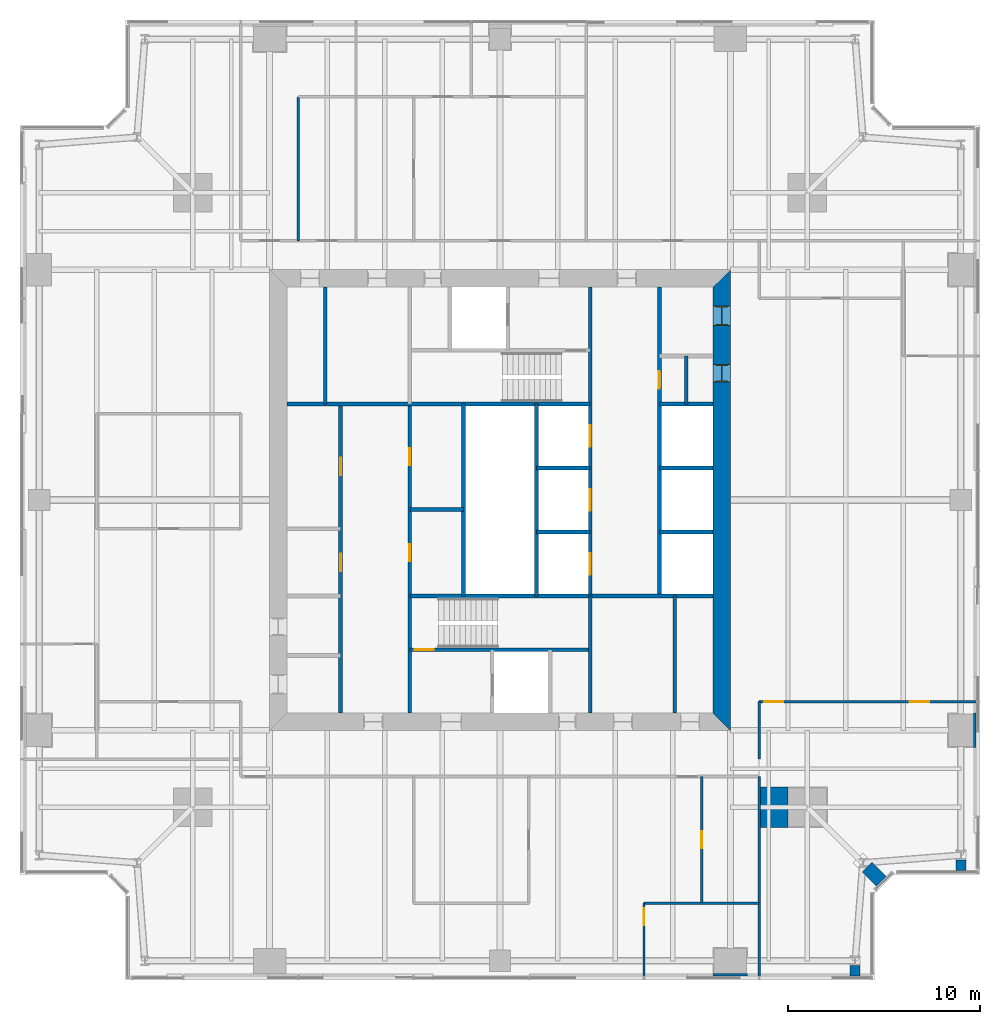
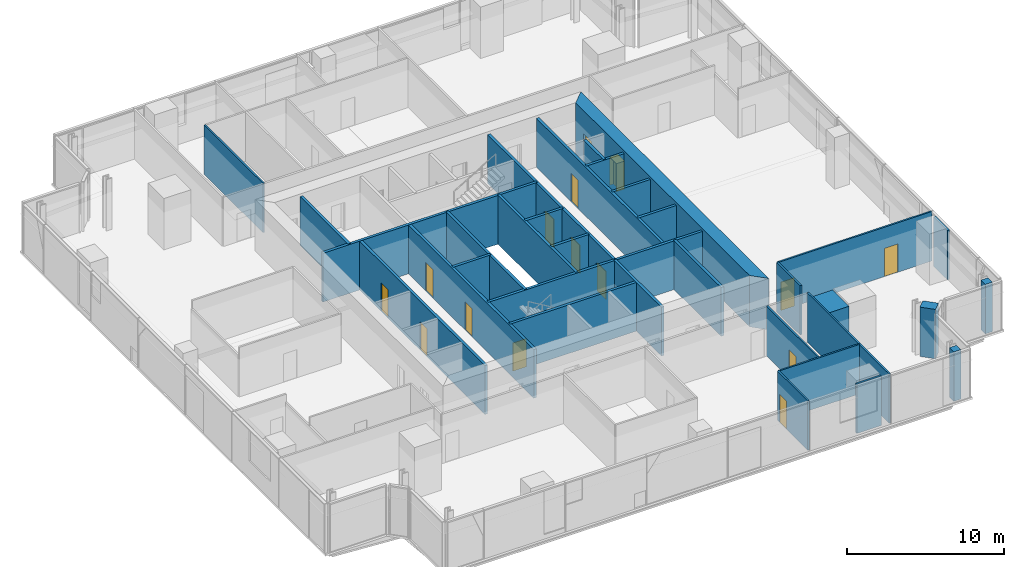
# One storey, part 10 of 14: 33 walls, 15 doors, 15 openings.
"""IFC4 building model written with IfcOpenShell, lengths in metres."""

from ifc_helpers import new_model, si_unit, direction, frame, frame_2d, origin, place, context, subcontext, project, spatial, polyline, rectangle, outline, extrude, material, layer, layer_set, type_object, element, fill, save


model = new_model("IFC4")

# Units and contexts
model_context = context("Model", 3, precision=1e-05, world=origin(), true_north=direction((0.0, 1.0)))
body_context = subcontext(model_context, "Body", "Model", "MODEL_VIEW")
ifc_project = project(units=[si_unit("LENGTHUNIT", "METRE"), si_unit("AREAUNIT", "SQUARE_METRE"), si_unit("VOLUMEUNIT", "CUBIC_METRE"), si_unit("PLANEANGLEUNIT", "RADIAN"), si_unit("MASSUNIT", "GRAM", prefix="KILO")], contexts=[model_context])

# Site, building, storey
site_placement = place(None, origin())
site = spatial("IfcSite", under=ifc_project, at=site_placement, CompositionType="ELEMENT")
building_placement = place(site_placement, origin())
building = spatial("IfcBuilding", under=site, at=building_placement, Name="Fenwick Lantern Interchange", CompositionType="ELEMENT")
storey_placement = place(building_placement, frame((0.0, 0.0, 205.800048828125)))
storey = spatial("IfcBuildingStorey", under=building, at=storey_placement, Name="L48", CompositionType="ELEMENT", Elevation=205.800048828125)

# Walls
ifc_material_1 = material(Name="Fire-rated gypsum board encasement on steel studs, 2 hour", Category="steel")
ifc_layer_1 = layer(ifc_material_1, 1.800048828125)
ifc_layer_set_1 = layer_set([ifc_layer_1], Name="COLUMN PIER 1800")
wall_type_1 = type_object("IfcWallType", Name="COLUMN PIER 1800", PredefinedType="PARTITIONING", material=ifc_layer_set_1)
for number, where, z_axis, x_axis, name in (
    (1, (37.0, 0.199951171875, 0.0), (0.0, 0.0, 1.0), (0.0, 1.0, 0.0), "L48/W/PIER/CS4"),
    (2, (49.800048828125, 13.0, 0.0), (0.0, 0.0, 1.0), (-1.0, 0.0, 0.0), "L48/W/PIER/CE2"),
):
    element("IfcWall", number, at=place(storey_placement, frame(where, z_axis=z_axis, x_axis=x_axis)), inside=storey, type_object=wall_type_1, Name=name, PredefinedType="PARTITIONING", context=body_context, shape_type="SweptSolid", body=[
        extrude(rectangle(XDim=0.150146484375, YDim=1.800048828125, at=frame_2d((0.0751953125, 0.0))), origin(), (0.0, 0.0, 1.0), 3.849853515625),
    ])
ifc_layer_2 = layer(ifc_material_1, 2.10009765625)
ifc_layer_set_2 = layer_set([ifc_layer_2], Name="COLUMN PIER 2100")
wall_type_2 = type_object("IfcWallType", Name="COLUMN PIER 2100", PredefinedType="PARTITIONING", material=ifc_layer_set_2)
wall_1_placement = place(storey_placement, frame((38.5625, 9.0, 0.0), z_axis=(0.0, 0.0, 1.0), x_axis=(1.0, 0.0, 0.0)))
element("IfcWall", 3, at=wall_1_placement, inside=storey, type_object=wall_type_2, Name="L48/W/PIER/M2", PredefinedType="PARTITIONING", context=body_context, shape_type="SweptSolid", body=[
    extrude(rectangle(XDim=1.4375, YDim=2.10009765625, at=frame_2d((0.71875, 0.0))), origin(), (0.0, 0.0, 1.0), 3.849853515625),
])
ifc_layer_3 = layer(ifc_material_1, 0.52392578125)
ifc_layer_set_3 = layer_set([ifc_layer_3], Name="COLUMN PIER 524")
wall_type_3 = type_object("IfcWallType", Name="COLUMN PIER 524", PredefinedType="PARTITIONING", material=ifc_layer_set_3)
for number, where, z_axis, x_axis, name in (
    (4, (43.5, 0.199951171875, 0.0), (0.0, 0.0, 1.0), (0.0, 1.0, 0.0), "L48/W/PIER/CS5"),
    (5, (49.0, 5.699951171875, 0.0), (0.0, 0.0, 1.0), (0.0, 1.0, 0.0), "L48/W/PIER/CE1"),
):
    element("IfcWall", number, at=place(storey_placement, frame(where, z_axis=z_axis, x_axis=x_axis)), inside=storey, type_object=wall_type_3, Name=name, PredefinedType="PARTITIONING", context=body_context, shape_type="SweptSolid", body=[
        extrude(rectangle(XDim=0.5625, YDim=0.52392578125, at=frame_2d((0.28125, 0.0))), origin(), (0.0, 0.0, 1.0), 3.849853515625),
    ])
ifc_layer_4 = layer(ifc_material_1, 0.736083984375)
ifc_layer_set_4 = layer_set([ifc_layer_4], Name="COLUMN PIER 736")
wall_type_4 = type_object("IfcWallType", Name="COLUMN PIER 736", PredefinedType="PARTITIONING", material=ifc_layer_set_4)
wall_2_placement = place(storey_placement, frame((44.858642578125, 5.141357421875, 0.0), z_axis=(0.0, 0.0, 1.0), x_axis=(-0.707106781187, 0.707106781187, 0.0)))
element("IfcWall", 6, at=wall_2_placement, inside=storey, type_object=wall_type_4, Name="L48/W/PIER/CSR", PredefinedType="PARTITIONING", context=body_context, shape_type="SweptSolid", body=[
    extrude(rectangle(XDim=1.037841796875, YDim=0.736083984375, at=frame_2d((0.51904296875, 0.0))), origin(), (0.0, 0.0, 1.0), 3.849853515625),
])

# Wall, openings, doors
ifc_material_2 = material(Name="Concrete masonry ASTM C90 Grade N", Category="masonry")
ifc_layer_5 = layer(ifc_material_2, 0.199951171875)
ifc_layer_set_5 = layer_set([ifc_layer_5], Name="Concrete masonry ASTM C90 Grade N")
wall_type_5 = type_object("IfcWallType", Name="CORE PARTITION 200", PredefinedType="PARTITIONING", material=ifc_layer_set_5)
wall_3_placement = place(storey_placement, frame((16.699951171875, 13.89990234375, 0.0), z_axis=(0.0, 0.0, 1.0), x_axis=(0.0, 1.0, 0.0)))
wall_3 = element("IfcWall", 7, at=wall_3_placement, inside=storey, type_object=wall_type_5, Name="L48/W/CORES/a", PredefinedType="PARTITIONING", context=body_context, shape_type="SweptSolid", body=[
    extrude(rectangle(XDim=16.10009765625, YDim=0.199951171875, at=frame_2d((8.050048828125, 0.0))), origin(), (0.0, 0.0, 1.0), 3.800048828125),
])
opening_1_placement = place(wall_3_placement, frame((7.39990234375, 0.0, 0.0)))
opening_1 = element("IfcOpeningElement", 8, at=opening_1_placement, cuts=wall_3, Name="Opening L48-D009", PredefinedType="OPENING", context=body_context, shape_type="SweptSolid", body=[
    extrude(rectangle(XDim=0.89990234375, YDim=2.199951171875, at=frame_2d((0.449951171875, 1.10009765625))), frame((0.0, 0.10986328125, 0.0), z_axis=(0.0, -1.0, 0.0), x_axis=(1.0, 0.0, 0.0)), (0.0, 0.0, 1.0), 0.219970703125),
])
opening_2_placement = place(wall_3_placement, frame((12.39990234375, 0.0, 0.0)))
opening_2 = element("IfcOpeningElement", 9, at=opening_2_placement, cuts=wall_3, Name="Opening L48-D010", PredefinedType="OPENING", context=body_context, shape_type="SweptSolid", body=[
    extrude(rectangle(XDim=0.89990234375, YDim=2.199951171875, at=frame_2d((0.449951171875, 1.10009765625))), frame((0.0, 0.10986328125, 0.0), z_axis=(0.0, -1.0, 0.0), x_axis=(1.0, 0.0, 0.0)), (0.0, 0.0, 1.0), 0.219970703125),
])
ifc_material_3 = material(Name="Steel door and frame", Category="steel")
door_type_1 = type_object("IfcDoorType", Name="SERVICE DOOR 900 X 2200", OperationType="SINGLE_SWING_LEFT", PredefinedType="DOOR", material=ifc_material_3)
door_1_placement = place(opening_1_placement, origin())
door_1 = element("IfcDoor", 10, at=door_1_placement, inside=storey, type_object=door_type_1, Name="Service door", OperationType="SINGLE_SWING_LEFT", OverallHeight=2.199951171875, OverallWidth=0.89990234375, PredefinedType="DOOR", context=body_context, shape_type="SweptSolid", body=[
    extrude(rectangle(XDim=0.89990234375, YDim=2.199951171875, at=frame_2d((0.449951171875, 1.10009765625))), frame((0.0, 0.02490234375, 0.0), z_axis=(0.0, -1.0, 0.0), x_axis=(1.0, 0.0, 0.0)), (0.0, 0.0, 1.0), 0.050048828125),
])
fill(opening_1, door_1)
door_2_placement = place(opening_2_placement, origin())
door_2 = element("IfcDoor", 11, at=door_2_placement, inside=storey, type_object=door_type_1, Name="Service door", OperationType="SINGLE_SWING_LEFT", OverallHeight=2.199951171875, OverallWidth=0.89990234375, PredefinedType="DOOR", context=body_context, shape_type="SweptSolid", body=[
    extrude(rectangle(XDim=0.89990234375, YDim=2.199951171875, at=frame_2d((0.449951171875, 1.10009765625))), frame((0.0, 0.02490234375, 0.0), z_axis=(0.0, -1.0, 0.0), x_axis=(1.0, 0.0, 0.0)), (0.0, 0.0, 1.0), 0.050048828125),
])
fill(opening_2, door_2)

# Walls
wall_4_placement = place(storey_placement, frame((23.10009765625, 20.0, 0.0), z_axis=(0.0, 0.0, 1.0), x_axis=(0.0, 1.0, 0.0)))
element("IfcWall", 12, at=wall_4_placement, inside=storey, type_object=wall_type_5, Name="L48/W/CORES/e3", PredefinedType="PARTITIONING", context=body_context, shape_type="SweptSolid", body=[
    extrude(rectangle(XDim=10.0, YDim=0.199951171875, at=frame_2d((5.0, 0.0))), origin(), (0.0, 0.0, 1.0), 3.800048828125),
])
wall_5_placement = place(storey_placement, frame((34.10009765625, 13.89990234375, 0.0), z_axis=(0.0, 0.0, 1.0), x_axis=(0.0, 1.0, 0.0)))
element("IfcWall", 13, at=wall_5_placement, inside=storey, type_object=wall_type_5, Name="L48/W/CORES/i2", PredefinedType="PARTITIONING", context=body_context, shape_type="SweptSolid", body=[
    extrude(rectangle(XDim=6.10009765625, YDim=0.199951171875, at=frame_2d((3.050048828125, 0.0))), origin(), (0.0, 0.0, 1.0), 3.800048828125),
])
wall_6_placement = place(storey_placement, frame((20.300048828125, 24.5, 0.0), z_axis=(0.0, 0.0, 1.0), x_axis=(1.0, 0.0, 0.0)))
element("IfcWall", 14, at=wall_6_placement, inside=storey, type_object=wall_type_5, Name="L48/W/CORES/q1", PredefinedType="PARTITIONING", context=body_context, shape_type="SweptSolid", body=[
    extrude(rectangle(XDim=2.800048828125, YDim=0.199951171875, at=frame_2d((1.39990234375, 0.0))), origin(), (0.0, 0.0, 1.0), 3.800048828125),
])

# Wall, opening, door
wall_7_placement = place(storey_placement, frame((33.300048828125, 36.10009765625, 0.0), z_axis=(0.0, 0.0, 1.0), x_axis=(0.0, -1.0, 0.0)))
wall_7 = element("IfcWall", 15, at=wall_7_placement, inside=storey, type_object=wall_type_5, Name="L48/W/COREN/a", PredefinedType="PARTITIONING", context=body_context, shape_type="SweptSolid", body=[
    extrude(rectangle(XDim=16.10009765625, YDim=0.199951171875, at=frame_2d((8.050048828125, 0.0))), origin(), (0.0, 0.0, 1.0), 3.800048828125),
])
opening_3_placement = place(wall_7_placement, frame((4.39990234375, 0.0, 0.0)))
opening_3 = element("IfcOpeningElement", 16, at=opening_3_placement, cuts=wall_7, Name="Opening L48-D020", PredefinedType="OPENING", context=body_context, shape_type="SweptSolid", body=[
    extrude(rectangle(XDim=0.89990234375, YDim=2.199951171875, at=frame_2d((0.449951171875, 1.10009765625))), frame((0.0, 0.10986328125, 0.0), z_axis=(0.0, -1.0, 0.0), x_axis=(1.0, 0.0, 0.0)), (0.0, 0.0, 1.0), 0.219970703125),
])
door_3_placement = place(opening_3_placement, origin())
door_3 = element("IfcDoor", 17, at=door_3_placement, inside=storey, type_object=door_type_1, Name="Service door", OperationType="SINGLE_SWING_LEFT", OverallHeight=2.199951171875, OverallWidth=0.89990234375, PredefinedType="DOOR", context=body_context, shape_type="SweptSolid", body=[
    extrude(rectangle(XDim=0.89990234375, YDim=2.199951171875, at=frame_2d((0.449951171875, 1.10009765625))), frame((0.0, 0.02490234375, 0.0), z_axis=(0.0, -1.0, 0.0), x_axis=(1.0, 0.0, 0.0)), (0.0, 0.0, 1.0), 0.050048828125),
])
fill(opening_3, door_3)

# Walls
for number, where, z_axis, x_axis, name in (
    (18, (36.10009765625, 30.0, 0.0), (0.0, 0.0, 1.0), (-1.0, 0.0, 0.0), "L48/W/COREN/c2"),
    (19, (36.10009765625, 26.666748046875, 0.0), (0.0, 0.0, 1.0), (-1.0, 0.0, 0.0), "L48/W/COREN/d1"),
    (20, (36.10009765625, 23.333251953125, 0.0), (0.0, 0.0, 1.0), (-1.0, 0.0, 0.0), "L48/W/COREN/d2"),
    (21, (29.699951171875, 26.666748046875, 0.0), (0.0, 0.0, 1.0), (-1.0, 0.0, 0.0), "L48/W/COREN/e1"),
    (22, (29.699951171875, 23.333251953125, 0.0), (0.0, 0.0, 1.0), (-1.0, 0.0, 0.0), "L48/W/COREN/e2"),
):
    element("IfcWall", number, at=place(storey_placement, frame(where, z_axis=z_axis, x_axis=x_axis)), inside=storey, type_object=wall_type_5, Name=name, PredefinedType="PARTITIONING", context=body_context, shape_type="SweptSolid", body=[
        extrude(rectangle(XDim=2.800048828125, YDim=0.199951171875, at=frame_2d((1.39990234375, 0.0))), origin(), (0.0, 0.0, 1.0), 3.800048828125),
    ])
wall_8_placement = place(storey_placement, frame((26.89990234375, 30.0, 0.0), z_axis=(0.0, 0.0, 1.0), x_axis=(0.0, -1.0, 0.0)))
element("IfcWall", 23, at=wall_8_placement, inside=storey, type_object=wall_type_5, Name="L48/W/COREN/e3", PredefinedType="PARTITIONING", context=body_context, shape_type="SweptSolid", body=[
    extrude(rectangle(XDim=10.0, YDim=0.199951171875, at=frame_2d((5.0, 0.0))), origin(), (0.0, 0.0, 1.0), 3.800048828125),
])
wall_9_placement = place(storey_placement, frame((15.89990234375, 36.10009765625, 0.0), z_axis=(0.0, 0.0, 1.0), x_axis=(0.0, -1.0, 0.0)))
element("IfcWall", 24, at=wall_9_placement, inside=storey, type_object=wall_type_5, Name="L48/W/COREN/i2", PredefinedType="PARTITIONING", context=body_context, shape_type="SweptSolid", body=[
    extrude(rectangle(XDim=6.10009765625, YDim=0.199951171875, at=frame_2d((3.050048828125, 0.0))), origin(), (0.0, 0.0, 1.0), 3.800048828125),
])
wall_10_placement = place(storey_placement, frame((34.699951171875, 32.5, 0.0), z_axis=(0.0, 0.0, 1.0), x_axis=(0.0, -1.0, 0.0)))
element("IfcWall", 25, at=wall_10_placement, inside=storey, type_object=wall_type_5, Name="L48/W/COREN/px", PredefinedType="PARTITIONING", context=body_context, shape_type="SweptSolid", body=[
    extrude(rectangle(XDim=2.5, YDim=0.199951171875, at=frame_2d((1.25, 0.0))), origin(), (0.0, 0.0, 1.0), 3.800048828125),
])

# Wall, openings, doors
ifc_material_4 = material(Name="Concrete f'c 70 MPa", Category="concrete")
ifc_layer_6 = layer(ifc_material_4, 0.89990234375)
ifc_layer_set_6 = layer_set([ifc_layer_6], Name="CORE WALL 900")
wall_type_6 = type_object("IfcWallType", Name="CORE WALL 900", PredefinedType="SHEAR", material=ifc_layer_set_6)
wall_11_placement = place(storey_placement, frame((36.550048828125, 13.89990234375, 0.0), z_axis=(0.0, 0.0, 1.0), x_axis=(0.0, 1.0, 0.0)))
wall_11 = element("IfcWall", 26, at=wall_11_placement, inside=storey, type_object=wall_type_6, Name="L48/CORE/E", PredefinedType="SHEAR", context=body_context, shape_type="SweptSolid", body=[
    extrude(outline(polyline([(-0.89990234375, -0.449951171875), (23.10009765625, -0.449951171875), (22.199951171875, 0.449951171875), (0.0, 0.449951171875), (-0.89990234375, -0.449951171875)])), origin(), (0.0, 0.0, 1.0), 4.0),
])
opening_4_placement = place(wall_11_placement, frame((20.199951171875, 0.0, 0.0)))
opening_4 = element("IfcOpeningElement", 27, at=opening_4_placement, cuts=wall_11, Name="Opening L48-D019", PredefinedType="OPENING", context=body_context, shape_type="SweptSolid", body=[
    extrude(rectangle(XDim=1.0, YDim=2.199951171875, at=frame_2d((0.5, 1.10009765625))), frame((0.0, 0.4599609375, 0.0), z_axis=(0.0, -1.0, 0.0), x_axis=(1.0, 0.0, 0.0)), (0.0, 0.0, 1.0), 0.919921875),
])
opening_5_placement = place(wall_11_placement, frame((17.25, 0.0, 0.0)))
opening_5 = element("IfcOpeningElement", 28, at=opening_5_placement, cuts=wall_11, Name="Opening L48-D021", PredefinedType="OPENING", context=body_context, shape_type="SweptSolid", body=[
    extrude(rectangle(XDim=0.89990234375, YDim=2.199951171875, at=frame_2d((0.449951171875, 1.10009765625))), frame((0.0, 0.4599609375, 0.0), z_axis=(0.0, -1.0, 0.0), x_axis=(1.0, 0.0, 0.0)), (0.0, 0.0, 1.0), 0.919921875),
])
door_4_placement = place(opening_5_placement, origin())
door_4 = element("IfcDoor", 29, at=door_4_placement, inside=storey, type_object=door_type_1, Name="Service door", OperationType="SINGLE_SWING_RIGHT", OverallHeight=2.199951171875, OverallWidth=0.89990234375, PredefinedType="DOOR", context=body_context, shape_type="SweptSolid", body=[
    extrude(rectangle(XDim=0.89990234375, YDim=2.199951171875, at=frame_2d((0.449951171875, 1.10009765625))), frame((0.0, 0.02490234375, 0.0), z_axis=(0.0, -1.0, 0.0), x_axis=(1.0, 0.0, 0.0)), (0.0, 0.0, 1.0), 0.050048828125),
    extrude(outline(polyline([(0.0, 0.0), (0.0400390625, 0.0), (0.0400390625, 2.159912109375), (0.85986328125, 2.159912109375), (0.85986328125, 0.0), (0.89990234375, 0.0), (0.89990234375, 2.199951171875), (0.0, 2.199951171875), (0.0, 0.0)])), frame((0.0, 0.300048828125, 0.0), z_axis=(0.0, -1.0, 0.0), x_axis=(1.0, 0.0, 0.0)), (0.0, 0.0, 1.0), 0.60009765625),
])
fill(opening_5, door_4)
ifc_material_5 = material(Name="Hardwood door and steel frame", Category="steel")
door_type_2 = type_object("IfcDoorType", Name="WC DOOR 1000 X 2200", OperationType="SINGLE_SWING_LEFT", PredefinedType="DOOR", material=ifc_material_5)
door_5_placement = place(opening_4_placement, origin())
door_5 = element("IfcDoor", 30, at=door_5_placement, inside=storey, type_object=door_type_2, Name="Wc door", OperationType="SINGLE_SWING_RIGHT", OverallHeight=2.199951171875, OverallWidth=1.0, PredefinedType="DOOR", context=body_context, shape_type="SweptSolid", body=[
    extrude(rectangle(XDim=1.0, YDim=2.199951171875, at=frame_2d((0.5, 1.10009765625))), frame((0.0, 0.02490234375, 0.0), z_axis=(0.0, -1.0, 0.0), x_axis=(1.0, 0.0, 0.0)), (0.0, 0.0, 1.0), 0.050048828125),
    extrude(outline(polyline([(0.0, 0.0), (0.0400390625, 0.0), (0.0400390625, 2.159912109375), (0.9599609375, 2.159912109375), (0.9599609375, 0.0), (1.0, 0.0), (1.0, 2.199951171875), (0.0, 2.199951171875), (0.0, 0.0)])), frame((0.0, 0.300048828125, 0.0), z_axis=(0.0, -1.0, 0.0), x_axis=(1.0, 0.0, 0.0)), (0.0, 0.0, 1.0), 0.60009765625),
])
fill(opening_4, door_5)

# Wall, opening, door
ifc_material_6 = material(Name="Gypsum board on steel studs, acoustic", Category="steel")
ifc_layer_7 = layer(ifc_material_6, 0.125)
ifc_layer_set_7 = layer_set([ifc_layer_7], Name="OFFICE PARTITION 125")
wall_type_7 = type_object("IfcWallType", Name="OFFICE PARTITION 125", PredefinedType="PARTITIONING", material=ifc_layer_set_7)
wall_12_placement = place(storey_placement, frame((32.5, 0.14990234375, 0.0), z_axis=(0.0, 0.0, 1.0), x_axis=(0.0, 1.0, 0.0)))
wall_12 = element("IfcWall", 31, at=wall_12_placement, inside=storey, type_object=wall_type_7, Name="L48/W/OFF/S/X325-1", PredefinedType="PARTITIONING", context=body_context, shape_type="SweptSolid", body=[
    extrude(rectangle(XDim=3.85009765625, YDim=0.125, at=frame_2d((1.925048828125, 0.0))), origin(), (0.0, 0.0, 1.0), 3.849853515625),
])
opening_6_placement = place(wall_12_placement, frame((2.699951171875, 0.0, 0.0)))
opening_6 = element("IfcOpeningElement", 32, at=opening_6_placement, cuts=wall_12, Name="Opening L48-D025", PredefinedType="OPENING", context=body_context, shape_type="SweptSolid", body=[
    extrude(rectangle(XDim=0.89990234375, YDim=2.199951171875, at=frame_2d((0.449951171875, 1.10009765625))), frame((0.0, 0.072509765625, 0.0), z_axis=(0.0, -1.0, 0.0), x_axis=(1.0, 0.0, 0.0)), (0.0, 0.0, 1.0), 0.14501953125),
])
door_type_3 = type_object("IfcDoorType", Name="OFFICE DOOR 900 X 2200", OperationType="SINGLE_SWING_LEFT", PredefinedType="DOOR", material=ifc_material_5)
door_6_placement = place(opening_6_placement, frame((0.89990234375, 0.0, 0.0), z_axis=(0.0, 0.0, 1.0), x_axis=(-1.0, 0.0, 0.0)))
door_6 = element("IfcDoor", 33, at=door_6_placement, inside=storey, type_object=door_type_3, Name="Office door", OperationType="SINGLE_SWING_LEFT", OverallHeight=2.199951171875, OverallWidth=0.89990234375, PredefinedType="DOOR", context=body_context, shape_type="SweptSolid", body=[
    extrude(rectangle(XDim=0.89990234375, YDim=2.199951171875, at=frame_2d((0.449951171875, 1.10009765625))), frame((0.0, 0.02490234375, 0.0), z_axis=(0.0, -1.0, 0.0), x_axis=(1.0, 0.0, 0.0)), (0.0, 0.0, 1.0), 0.050048828125),
])
fill(opening_6, door_6)

wall_13_placement = place(storey_placement, frame((35.5, 4.0, 0.0), z_axis=(0.0, 0.0, 1.0), x_axis=(0.0, 1.0, 0.0)))
wall_13 = element("IfcWall", 34, at=wall_13_placement, inside=storey, type_object=wall_type_7, Name="L48/W/OFF/S/X355-1", PredefinedType="PARTITIONING", context=body_context, shape_type="SweptSolid", body=[
    extrude(rectangle(XDim=6.60009765625, YDim=0.125, at=frame_2d((3.300048828125, 0.0))), origin(), (0.0, 0.0, 1.0), 3.849853515625),
])
opening_7_placement = place(wall_13_placement, frame((2.85009765625, 0.0, 0.0)))
opening_7 = element("IfcOpeningElement", 35, at=opening_7_placement, cuts=wall_13, Name="Opening L48-D026", PredefinedType="OPENING", context=body_context, shape_type="SweptSolid", body=[
    extrude(rectangle(XDim=0.89990234375, YDim=2.199951171875, at=frame_2d((0.449951171875, 1.10009765625))), frame((0.0, 0.072509765625, 0.0), z_axis=(0.0, -1.0, 0.0), x_axis=(1.0, 0.0, 0.0)), (0.0, 0.0, 1.0), 0.14501953125),
])
door_7_placement = place(opening_7_placement, frame((0.89990234375, 0.0, 0.0), z_axis=(0.0, 0.0, 1.0), x_axis=(-1.0, 0.0, 0.0)))
door_7 = element("IfcDoor", 36, at=door_7_placement, inside=storey, type_object=door_type_3, Name="Office door", OperationType="SINGLE_SWING_RIGHT", OverallHeight=2.199951171875, OverallWidth=0.89990234375, PredefinedType="DOOR", context=body_context, shape_type="SweptSolid", body=[
    extrude(rectangle(XDim=0.89990234375, YDim=2.199951171875, at=frame_2d((0.449951171875, 1.10009765625))), frame((0.0, 0.02490234375, 0.0), z_axis=(0.0, -1.0, 0.0), x_axis=(1.0, 0.0, 0.0)), (0.0, 0.0, 1.0), 0.050048828125),
])
fill(opening_7, door_7)

# Walls
wall_14_placement = place(storey_placement, frame((32.5, 4.0, 0.0), z_axis=(0.0, 0.0, 1.0), x_axis=(1.0, 0.0, 0.0)))
element("IfcWall", 37, at=wall_14_placement, inside=storey, type_object=wall_type_7, Name="L48/W/OFF/S/Y40-2", PredefinedType="PARTITIONING", context=body_context, shape_type="SweptSolid", body=[
    extrude(rectangle(XDim=6.0, YDim=0.125, at=frame_2d((3.0, 0.0))), origin(), (0.0, 0.0, 1.0), 3.849853515625),
])
wall_15_placement = place(storey_placement, frame((38.5, 0.14990234375, 0.0), z_axis=(0.0, 0.0, 1.0), x_axis=(0.0, 1.0, 0.0)))
element("IfcWall", 38, at=wall_15_placement, inside=storey, type_object=wall_type_7, Name="L48/W/OFF/E/BACK", PredefinedType="PARTITIONING", context=body_context, shape_type="SweptSolid", body=[
    extrude(rectangle(XDim=10.4501953125, YDim=0.125, at=frame_2d((5.22509765625, 0.0))), origin(), (0.0, 0.0, 1.0), 3.849853515625),
])

# Wall, openings, doors
wall_16_placement = place(storey_placement, frame((49.85009765625, 14.5, 0.0), z_axis=(0.0, 0.0, 1.0), x_axis=(-1.0, 0.0, 0.0)))
wall_16 = element("IfcWall", 39, at=wall_16_placement, inside=storey, type_object=wall_type_7, Name="L48/W/OFF/E/X145-1", PredefinedType="PARTITIONING", context=body_context, shape_type="SweptSolid", body=[
    extrude(rectangle(XDim=11.35009765625, YDim=0.125, at=frame_2d((5.675048828125, 0.0))), origin(), (0.0, 0.0, 1.0), 3.849853515625),
])
opening_8_placement = place(wall_16_placement, frame((2.5, 0.0, 0.0)))
opening_8 = element("IfcOpeningElement", 40, at=opening_8_placement, cuts=wall_16, Name="Opening L48-D027", PredefinedType="OPENING", context=body_context, shape_type="SweptSolid", body=[
    extrude(rectangle(XDim=1.0, YDim=2.199951171875, at=frame_2d((0.5, 1.10009765625))), frame((0.0, 0.072509765625, 0.0), z_axis=(0.0, -1.0, 0.0), x_axis=(1.0, 0.0, 0.0)), (0.0, 0.0, 1.0), 0.14501953125),
])
opening_9_placement = place(wall_16_placement, frame((10.10009765625, 0.0, 0.0)))
opening_9 = element("IfcOpeningElement", 41, at=opening_9_placement, cuts=wall_16, Name="Opening L48-D028", PredefinedType="OPENING", context=body_context, shape_type="SweptSolid", body=[
    extrude(rectangle(XDim=1.0, YDim=2.199951171875, at=frame_2d((0.5, 1.10009765625))), frame((0.0, 0.072509765625, 0.0), z_axis=(0.0, -1.0, 0.0), x_axis=(1.0, 0.0, 0.0)), (0.0, 0.0, 1.0), 0.14501953125),
])
door_type_4 = type_object("IfcDoorType", Name="MEETING ROOM DOOR 1000 X 2200", OperationType="SINGLE_SWING_LEFT", PredefinedType="DOOR", material=ifc_material_5)
door_8_placement = place(opening_8_placement, frame((1.0, 0.0, 0.0), z_axis=(0.0, 0.0, 1.0), x_axis=(-1.0, 0.0, 0.0)))
door_8 = element("IfcDoor", 42, at=door_8_placement, inside=storey, type_object=door_type_4, Name="Meeting room door", OperationType="SINGLE_SWING_RIGHT", OverallHeight=2.199951171875, OverallWidth=1.0, PredefinedType="DOOR", context=body_context, shape_type="SweptSolid", body=[
    extrude(rectangle(XDim=1.0, YDim=2.199951171875, at=frame_2d((0.5, 1.10009765625))), frame((0.0, 0.02490234375, 0.0), z_axis=(0.0, -1.0, 0.0), x_axis=(1.0, 0.0, 0.0)), (0.0, 0.0, 1.0), 0.050048828125),
])
fill(opening_8, door_8)
door_9_placement = place(opening_9_placement, frame((1.0, 0.0, 0.0), z_axis=(0.0, 0.0, 1.0), x_axis=(-1.0, 0.0, 0.0)))
door_9 = element("IfcDoor", 43, at=door_9_placement, inside=storey, type_object=door_type_4, Name="Meeting room door", OperationType="SINGLE_SWING_LEFT", OverallHeight=2.199951171875, OverallWidth=1.0, PredefinedType="DOOR", context=body_context, shape_type="SweptSolid", body=[
    extrude(rectangle(XDim=1.0, YDim=2.199951171875, at=frame_2d((0.5, 1.10009765625))), frame((0.0, 0.02490234375, 0.0), z_axis=(0.0, -1.0, 0.0), x_axis=(1.0, 0.0, 0.0)), (0.0, 0.0, 1.0), 0.050048828125),
])
fill(opening_9, door_9)

# Walls
wall_17_placement = place(storey_placement, frame((38.5, 11.5, 0.0), z_axis=(0.0, 0.0, 1.0), x_axis=(0.0, 1.0, 0.0)))
element("IfcWall", 44, at=wall_17_placement, inside=storey, type_object=wall_type_7, Name="L48/W/OFF/E/CWS1", PredefinedType="PARTITIONING", context=body_context, shape_type="SweptSolid", body=[
    extrude(rectangle(XDim=3.0, YDim=0.125, at=frame_2d((1.5, 0.0))), origin(), (0.0, 0.0, 1.0), 3.849853515625),
])
wall_18_placement = place(storey_placement, frame((14.5, 46.0, 0.0), z_axis=(0.0, 0.0, 1.0), x_axis=(0.0, -1.0, 0.0)))
element("IfcWall", 45, at=wall_18_placement, inside=storey, type_object=wall_type_7, Name="L48/W/OFF/N/X355-1", PredefinedType="PARTITIONING", context=body_context, shape_type="SweptSolid", body=[
    extrude(rectangle(XDim=7.5, YDim=0.125, at=frame_2d((3.75, 0.0))), origin(), (0.0, 0.0, 1.0), 3.849853515625),
])

# Wall, openings, doors
ifc_material_7 = material(Name="Concrete f'c 45 MPa", Category="concrete")
ifc_layer_8 = layer(ifc_material_7, 0.199951171875)
ifc_layer_set_8 = layer_set([ifc_layer_8], Name="STAIR CORE WALL 200")
wall_type_8 = type_object("IfcWallType", Name="STAIR CORE WALL 200", PredefinedType="SOLIDWALL", material=ifc_layer_set_8)
wall_19_placement = place(storey_placement, frame((20.300048828125, 13.89990234375, 0.0), z_axis=(0.0, 0.0, 1.0), x_axis=(0.0, 1.0, 0.0)))
wall_19 = element("IfcWall", 46, at=wall_19_placement, inside=storey, type_object=wall_type_8, Name="L48/W/CORES/b", PredefinedType="SOLIDWALL", context=body_context, shape_type="SweptSolid", body=[
    extrude(rectangle(XDim=16.10009765625, YDim=0.199951171875, at=frame_2d((8.050048828125, 0.0))), origin(), (0.0, 0.0, 1.0), 3.800048828125),
])
opening_10_placement = place(wall_19_placement, frame((7.89990234375, 0.0, 0.0)))
opening_10 = element("IfcOpeningElement", 47, at=opening_10_placement, cuts=wall_19, Name="Opening L48-D011", PredefinedType="OPENING", context=body_context, shape_type="SweptSolid", body=[
    extrude(rectangle(XDim=0.89990234375, YDim=2.199951171875, at=frame_2d((0.449951171875, 1.10009765625))), frame((0.0, 0.10986328125, 0.0), z_axis=(0.0, -1.0, 0.0), x_axis=(1.0, 0.0, 0.0)), (0.0, 0.0, 1.0), 0.219970703125),
])
opening_11_placement = place(wall_19_placement, frame((12.89990234375, 0.0, 0.0)))
opening_11 = element("IfcOpeningElement", 48, at=opening_11_placement, cuts=wall_19, Name="Opening L48-D012", PredefinedType="OPENING", context=body_context, shape_type="SweptSolid", body=[
    extrude(rectangle(XDim=0.89990234375, YDim=2.199951171875, at=frame_2d((0.449951171875, 1.10009765625))), frame((0.0, 0.10986328125, 0.0), z_axis=(0.0, -1.0, 0.0), x_axis=(1.0, 0.0, 0.0)), (0.0, 0.0, 1.0), 0.219970703125),
])
door_10_placement = place(opening_10_placement, frame((0.89990234375, 0.0, 0.0), z_axis=(0.0, 0.0, 1.0), x_axis=(-1.0, 0.0, 0.0)))
door_10 = element("IfcDoor", 49, at=door_10_placement, inside=storey, type_object=door_type_1, Name="Service door", OperationType="SINGLE_SWING_RIGHT", OverallHeight=2.199951171875, OverallWidth=0.89990234375, PredefinedType="DOOR", context=body_context, shape_type="SweptSolid", body=[
    extrude(rectangle(XDim=0.89990234375, YDim=2.199951171875, at=frame_2d((0.449951171875, 1.10009765625))), frame((0.0, 0.02490234375, 0.0), z_axis=(0.0, -1.0, 0.0), x_axis=(1.0, 0.0, 0.0)), (0.0, 0.0, 1.0), 0.050048828125),
])
fill(opening_10, door_10)
door_11_placement = place(opening_11_placement, frame((0.89990234375, 0.0, 0.0), z_axis=(0.0, 0.0, 1.0), x_axis=(-1.0, 0.0, 0.0)))
door_11 = element("IfcDoor", 50, at=door_11_placement, inside=storey, type_object=door_type_1, Name="Service door", OperationType="SINGLE_SWING_RIGHT", OverallHeight=2.199951171875, OverallWidth=0.89990234375, PredefinedType="DOOR", context=body_context, shape_type="SweptSolid", body=[
    extrude(rectangle(XDim=0.89990234375, YDim=2.199951171875, at=frame_2d((0.449951171875, 1.10009765625))), frame((0.0, 0.02490234375, 0.0), z_axis=(0.0, -1.0, 0.0), x_axis=(1.0, 0.0, 0.0)), (0.0, 0.0, 1.0), 0.050048828125),
])
fill(opening_11, door_11)

# Wall, opening, door
wall_20_placement = place(storey_placement, frame((20.300048828125, 17.199951171875, 0.0), z_axis=(0.0, 0.0, 1.0), x_axis=(1.0, 0.0, 0.0)))
wall_20 = element("IfcWall", 51, at=wall_20_placement, inside=storey, type_object=wall_type_8, Name="L48/W/CORES/g1", PredefinedType="SOLIDWALL", context=body_context, shape_type="SweptSolid", body=[
    extrude(rectangle(XDim=9.39990234375, YDim=0.199951171875, at=frame_2d((4.699951171875, 0.0))), origin(), (0.0, 0.0, 1.0), 3.800048828125),
])
opening_12_placement = place(wall_20_placement, frame((0.25, 0.0, 0.0)))
opening_12 = element("IfcOpeningElement", 52, at=opening_12_placement, cuts=wall_20, Name="Opening L48-D003", PredefinedType="OPENING", context=body_context, shape_type="SweptSolid", body=[
    extrude(rectangle(XDim=1.0, YDim=2.199951171875, at=frame_2d((0.5, 1.10009765625))), frame((0.0, 0.10986328125, 0.0), z_axis=(0.0, -1.0, 0.0), x_axis=(1.0, 0.0, 0.0)), (0.0, 0.0, 1.0), 0.219970703125),
])
door_type_5 = type_object("IfcDoorType", Name="STAIR DOOR 1000 X 2200", OperationType="SINGLE_SWING_LEFT", PredefinedType="DOOR", material=ifc_material_3)
door_12_placement = place(opening_12_placement, origin())
door_12 = element("IfcDoor", 53, at=door_12_placement, inside=storey, type_object=door_type_5, Name="Stair door", OperationType="SINGLE_SWING_LEFT", OverallHeight=2.199951171875, OverallWidth=1.0, PredefinedType="DOOR", context=body_context, shape_type="SweptSolid", body=[
    extrude(rectangle(XDim=1.0, YDim=2.199951171875, at=frame_2d((0.5, 1.10009765625))), frame((0.0, 0.02490234375, 0.0), z_axis=(0.0, -1.0, 0.0), x_axis=(1.0, 0.0, 0.0)), (0.0, 0.0, 1.0), 0.050048828125),
])
fill(opening_12, door_12)

# Walls
wall_21_placement = place(storey_placement, frame((20.300048828125, 20.0, 0.0), z_axis=(0.0, 0.0, 1.0), x_axis=(1.0, 0.0, 0.0)))
element("IfcWall", 54, at=wall_21_placement, inside=storey, type_object=wall_type_8, Name="L48/W/CORES/g2", PredefinedType="SOLIDWALL", context=body_context, shape_type="SweptSolid", body=[
    extrude(rectangle(XDim=15.800048828125, YDim=0.199951171875, at=frame_2d((7.89990234375, 0.0))), origin(), (0.0, 0.0, 1.0), 3.800048828125),
])
wall_22_placement = place(storey_placement, frame((29.699951171875, 13.89990234375, 0.0), z_axis=(0.0, 0.0, 1.0), x_axis=(0.0, 1.0, 0.0)))
element("IfcWall", 55, at=wall_22_placement, inside=storey, type_object=wall_type_8, Name="L48/W/CORES/i1", PredefinedType="SOLIDWALL", context=body_context, shape_type="SweptSolid", body=[
    extrude(rectangle(XDim=6.10009765625, YDim=0.199951171875, at=frame_2d((3.050048828125, 0.0))), origin(), (0.0, 0.0, 1.0), 3.800048828125),
])

# Wall, openings, doors
wall_23_placement = place(storey_placement, frame((29.699951171875, 36.10009765625, 0.0), z_axis=(0.0, 0.0, 1.0), x_axis=(0.0, -1.0, 0.0)))
wall_23 = element("IfcWall", 56, at=wall_23_placement, inside=storey, type_object=wall_type_8, Name="L48/W/COREN/b", PredefinedType="SOLIDWALL", context=body_context, shape_type="SweptSolid", body=[
    extrude(rectangle(XDim=16.10009765625, YDim=0.199951171875, at=frame_2d((8.050048828125, 0.0))), origin(), (0.0, 0.0, 1.0), 3.800048828125),
])
opening_13_placement = place(wall_23_placement, frame((7.216552734375, 0.0, 0.0)))
opening_13 = element("IfcOpeningElement", 57, at=opening_13_placement, cuts=wall_23, Name="Opening LD-E2-1", PredefinedType="OPENING", context=body_context, shape_type="SweptSolid", body=[
    extrude(rectangle(XDim=1.10009765625, YDim=2.199951171875, at=frame_2d((0.550048828125, 1.10009765625))), frame((0.0, 0.10986328125, 0.0), z_axis=(0.0, -1.0, 0.0), x_axis=(1.0, 0.0, 0.0)), (0.0, 0.0, 1.0), 0.219970703125),
])
opening_14_placement = place(wall_23_placement, frame((10.550048828125, 0.0, 0.0)))
opening_14 = element("IfcOpeningElement", 58, at=opening_14_placement, cuts=wall_23, Name="Opening LD-E2-2", PredefinedType="OPENING", context=body_context, shape_type="SweptSolid", body=[
    extrude(rectangle(XDim=1.10009765625, YDim=2.199951171875, at=frame_2d((0.550048828125, 1.10009765625))), frame((0.0, 0.10986328125, 0.0), z_axis=(0.0, -1.0, 0.0), x_axis=(1.0, 0.0, 0.0)), (0.0, 0.0, 1.0), 0.219970703125),
])
opening_15_placement = place(wall_23_placement, frame((13.88330078125, 0.0, 0.0)))
opening_15 = element("IfcOpeningElement", 59, at=opening_15_placement, cuts=wall_23, Name="Opening LD-E2-3", PredefinedType="OPENING", context=body_context, shape_type="SweptSolid", body=[
    extrude(rectangle(XDim=1.10009765625, YDim=2.199951171875, at=frame_2d((0.550048828125, 1.10009765625))), frame((0.0, 0.10986328125, 0.0), z_axis=(0.0, -1.0, 0.0), x_axis=(1.0, 0.0, 0.0)), (0.0, 0.0, 1.0), 0.219970703125),
])
door_type_6 = type_object("IfcDoorType", Name="LIFT LANDING DOOR 1100 X 2200", OperationType="DOUBLE_DOOR_SLIDING", PredefinedType="DOOR", material=ifc_material_3)
door_13_placement = place(opening_13_placement, origin())
door_13 = element("IfcDoor", 60, at=door_13_placement, inside=storey, type_object=door_type_6, Name="Lift landing door E2-1", OperationType="DOUBLE_DOOR_SLIDING", OverallHeight=2.199951171875, OverallWidth=1.10009765625, PredefinedType="DOOR", context=body_context, shape_type="SweptSolid", body=[
    extrude(rectangle(XDim=1.10009765625, YDim=2.199951171875, at=frame_2d((0.550048828125, 1.10009765625))), frame((0.0, 0.02490234375, 0.0), z_axis=(0.0, -1.0, 0.0), x_axis=(1.0, 0.0, 0.0)), (0.0, 0.0, 1.0), 0.050048828125),
])
fill(opening_13, door_13)
door_14_placement = place(opening_14_placement, origin())
door_14 = element("IfcDoor", 61, at=door_14_placement, inside=storey, type_object=door_type_6, Name="Lift landing door E2-2", OperationType="DOUBLE_DOOR_SLIDING", OverallHeight=2.199951171875, OverallWidth=1.10009765625, PredefinedType="DOOR", context=body_context, shape_type="SweptSolid", body=[
    extrude(rectangle(XDim=1.10009765625, YDim=2.199951171875, at=frame_2d((0.550048828125, 1.10009765625))), frame((0.0, 0.02490234375, 0.0), z_axis=(0.0, -1.0, 0.0), x_axis=(1.0, 0.0, 0.0)), (0.0, 0.0, 1.0), 0.050048828125),
])
fill(opening_14, door_14)
door_15_placement = place(opening_15_placement, origin())
door_15 = element("IfcDoor", 62, at=door_15_placement, inside=storey, type_object=door_type_6, Name="Lift landing door E2-3", OperationType="DOUBLE_DOOR_SLIDING", OverallHeight=2.199951171875, OverallWidth=1.10009765625, PredefinedType="DOOR", context=body_context, shape_type="SweptSolid", body=[
    extrude(rectangle(XDim=1.10009765625, YDim=2.199951171875, at=frame_2d((0.550048828125, 1.10009765625))), frame((0.0, 0.02490234375, 0.0), z_axis=(0.0, -1.0, 0.0), x_axis=(1.0, 0.0, 0.0)), (0.0, 0.0, 1.0), 0.050048828125),
])
fill(opening_15, door_15)

# Wall
wall_24_placement = place(storey_placement, frame((29.699951171875, 30.0, 0.0), z_axis=(0.0, 0.0, 1.0), x_axis=(-1.0, 0.0, 0.0)))
element("IfcWall", 63, at=wall_24_placement, inside=storey, type_object=wall_type_8, Name="L48/W/COREN/g2", PredefinedType="SOLIDWALL", context=body_context, shape_type="SweptSolid", body=[
    extrude(rectangle(XDim=15.800048828125, YDim=0.199951171875, at=frame_2d((7.89990234375, 0.0))), origin(), (0.0, 0.0, 1.0), 3.800048828125),
])

save(model, "model.ifc")
